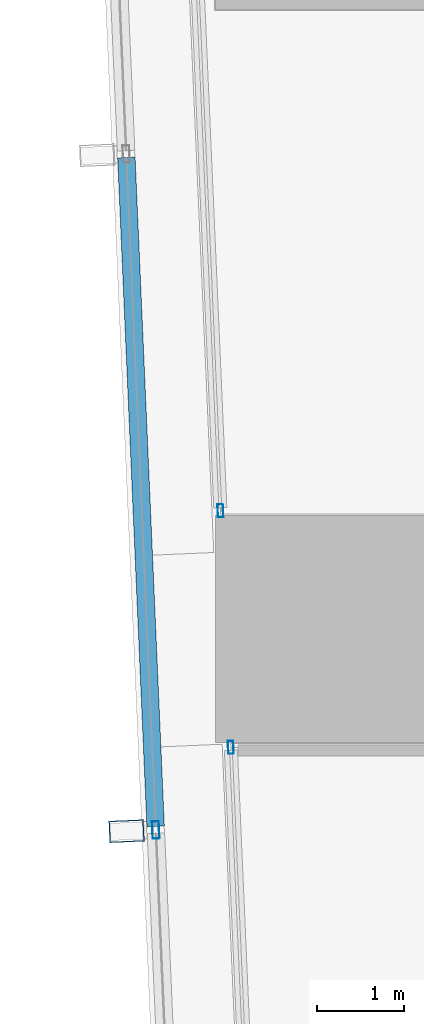
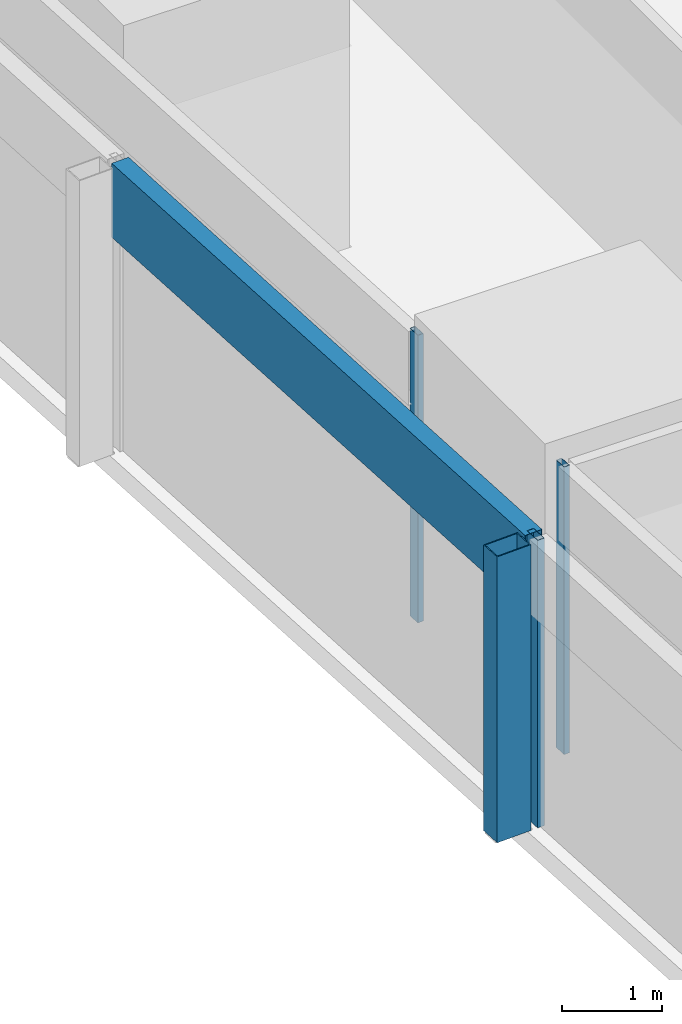
# One storey, part 4 of 46: 5 members, 3 elements without a shape of their own.
"""IFC4 building model written with IfcOpenShell, lengths in metres."""

from ifc_helpers import new_model, si_unit, direction, frame, origin, origin_2d, place, context, subcontext, project, spatial, hollow_rectangle, extrude, material, material_profile, profile_set, type_object, element, aggregate, save


model = new_model("IFC4")

# Units and contexts
model_context = context("Model", 3, precision=1e-05, world=origin(), true_north=direction((0.0, 1.0)))
body_context = subcontext(model_context, "Body", "Model", "MODEL_VIEW")
ifc_project = project(units=[si_unit("LENGTHUNIT", "METRE"), si_unit("AREAUNIT", "SQUARE_METRE"), si_unit("VOLUMEUNIT", "CUBIC_METRE"), si_unit("PLANEANGLEUNIT", "RADIAN"), si_unit("MASSUNIT", "GRAM", prefix="KILO")], contexts=[model_context])

# Site, building, storey
site_placement = place(None, origin())
site = spatial("IfcSite", under=ifc_project, at=site_placement, CompositionType="ELEMENT")
building_placement = place(site_placement, origin())
building = spatial("IfcBuilding", under=site, at=building_placement, Name="Rekha Terrace Tower", CompositionType="ELEMENT")
storey_placement = place(building_placement, frame((0.0, 0.0, 29.14990234375)))
storey = spatial("IfcBuildingStorey", under=building, at=storey_placement, Name="L06", CompositionType="ELEMENT", Elevation=29.14990234375)

# Curtain wall, member
ifc_material_1 = material(Name="Aluminium framing", Category="aluminium")
curtain_wall_type_1 = type_object("IfcCurtainWallType", Name="CW2 double skin outer glazing", PredefinedType="USERDEFINED", material=ifc_material_1)
curtain_wall_1_placement = place(storey_placement, origin())
curtain_wall_1 = element("IfcCurtainWall", 1, at=curtain_wall_1_placement, inside=storey, type_object=curtain_wall_type_1, Name="CW2 double skin outer glazing", ObjectType="DOUBLE SKIN OUTER GLAZING", PredefinedType="USERDEFINED")
ifc_material_2 = material(Name="Steel S355 with fluorocarbon finish", Category="steel")
ifc_material_profile_1 = material_profile(ifc_material_2, hollow_rectangle(XDim=0.25, YDim=0.39990234375, WallThickness=0.012451171875, at=origin_2d()), Name="RHS400x250x12.5")
ifc_profile_set_1 = profile_set([ifc_material_profile_1], Name="Steel S355 with fluorocarbon finish")
member_type_1 = type_object("IfcMemberType", Name="BL1 facade blade RHS 400 x 250", PredefinedType="USERDEFINED", material=ifc_profile_set_1)
member_1_placement = place(storey_placement, frame((6.080078125, 14.482421875, 0.02001953125), z_axis=(0.0, 0.0, 1.0), x_axis=(0.04368215933, -0.999045478923, 0.0)))
member_1 = element("IfcMember", 2, at=member_1_placement, type_object=member_type_1, Name="Facade blade", ObjectType="FACADE BLADE", PredefinedType="USERDEFINED", context=body_context, shape_type="SweptSolid", body=[
    extrude(hollow_rectangle(XDim=0.25, YDim=0.39990234375, WallThickness=0.012451171875, at=origin_2d()), origin(), (0.0, 0.0, 1.0), 3.47998046875),
])

curtain_wall_type_2 = type_object("IfcCurtainWallType", Name="CW1 double skin inner glazing", PredefinedType="USERDEFINED", material=ifc_material_1)
curtain_wall_2_placement = place(storey_placement, origin())
curtain_wall_2 = element("IfcCurtainWall", 3, at=curtain_wall_2_placement, inside=storey, type_object=curtain_wall_type_2, Name="CW1 double skin inner glazing", ObjectType="DOUBLE SKIN INNER GLAZING", PredefinedType="USERDEFINED")
ifc_material_3 = material(Name="Aluminium mullion section", Category="aluminium")
ifc_material_profile_2 = material_profile(ifc_material_3, hollow_rectangle(XDim=0.06494140625, YDim=0.14990234375, WallThickness=0.00390625, at=origin_2d()), Name="AL RHS 65x150")
ifc_profile_set_2 = profile_set([ifc_material_profile_2], Name="Aluminium mullion section")
member_type_2 = type_object("IfcMemberType", Name="CW1 mullion RHS 65 x 150", PredefinedType="MULLION", material=ifc_profile_set_2)
member_2_placement = place(storey_placement, frame((7.15576171875, 18.155029296875, 0.0), z_axis=(0.0, 0.0, 1.0), x_axis=(0.999045462133, 0.043682543337, 0.0)))
member_2 = element("IfcMember", 4, at=member_2_placement, type_object=member_type_2, Name="CW1 mullion 4", PredefinedType="MULLION", context=body_context, shape_type="SweptSolid", body=[
    extrude(hollow_rectangle(XDim=0.06494140625, YDim=0.14990234375, WallThickness=0.00390625, at=origin_2d()), origin(), (0.0, 0.0, 1.0), 3.5),
])
aggregate(curtain_wall_2, [member_2])

curtain_wall_3_placement = place(storey_placement, origin())
curtain_wall_3 = element("IfcCurtainWall", 5, at=curtain_wall_3_placement, inside=storey, type_object=curtain_wall_type_2, Name="CW1 double skin inner glazing", ObjectType="DOUBLE SKIN INNER GLAZING", PredefinedType="USERDEFINED")
member_3_placement = place(storey_placement, frame((7.2744140625, 15.443359375, 0.0), z_axis=(0.0, 0.0, 1.0), x_axis=(0.999045462129, 0.043682543424, 0.0)))
member_3 = element("IfcMember", 6, at=member_3_placement, type_object=member_type_2, Name="CW1 mullion 1", PredefinedType="MULLION", context=body_context, shape_type="SweptSolid", body=[
    extrude(hollow_rectangle(XDim=0.06494140625, YDim=0.14990234375, WallThickness=0.00390625, at=origin_2d()), origin(), (0.0, 0.0, 1.0), 3.5),
])
aggregate(curtain_wall_3, [member_3])

# Member
ifc_material_profile_3 = material_profile(ifc_material_3, hollow_rectangle(XDim=0.080078125, YDim=0.199951171875, WallThickness=0.00390625, at=origin_2d()), Name="AL RHS 80x200")
ifc_profile_set_3 = profile_set([ifc_material_profile_3], Name="Aluminium mullion section")
member_type_3 = type_object("IfcMemberType", Name="CW2 mullion RHS 80 x 200", PredefinedType="MULLION", material=ifc_profile_set_3)
member_4_placement = place(storey_placement, frame((6.414794921875, 14.4970703125, 0.0), z_axis=(0.0, 0.0, 1.0), x_axis=(0.999045462131, 0.043682543372, 0.0)))
member_4 = element("IfcMember", 7, at=member_4_placement, type_object=member_type_3, Name="CW2 mullion 5", PredefinedType="MULLION", context=body_context, shape_type="SweptSolid", body=[
    extrude(hollow_rectangle(XDim=0.080078125, YDim=0.199951171875, WallThickness=0.00390625, at=origin_2d()), origin(), (0.0, 0.0, 1.0), 3.5),
])

ifc_material_4 = material(Name="Insulated aluminium spandrel box", Category="aluminium")
ifc_material_profile_4 = material_profile(ifc_material_4, hollow_rectangle(XDim=0.199951171875, YDim=0.89990234375, WallThickness=0.0029296875, at=origin_2d()), Name="AL SPANDREL BOX 200x900")
ifc_profile_set_4 = profile_set([ifc_material_profile_4], Name="Insulated aluminium spandrel box")
member_type_4 = type_object("IfcMemberType", Name="CW2 spandrel transom 200 x 900", PredefinedType="USERDEFINED", material=ifc_profile_set_4)
member_5_placement = place(storey_placement, frame((6.077880859375, 22.201416015625, 3.050048828125), z_axis=(0.043694095051, -0.999044956975, 0.0), x_axis=(0.999044956975, 0.043694095051, 0.0)))
member_5 = element("IfcMember", 8, at=member_5_placement, type_object=member_type_4, Name="CW2 spandrel transom 4", ObjectType="TRANSOM", PredefinedType="USERDEFINED", context=body_context, shape_type="SweptSolid", body=[
    extrude(hollow_rectangle(XDim=0.199951171875, YDim=0.89990234375, WallThickness=0.0029296875, at=origin_2d()), origin(), (0.0, 0.0, 1.0), 7.671630859375),
])

aggregate(curtain_wall_1, [member_4, member_5, member_1])

save(model, "model.ifc")
